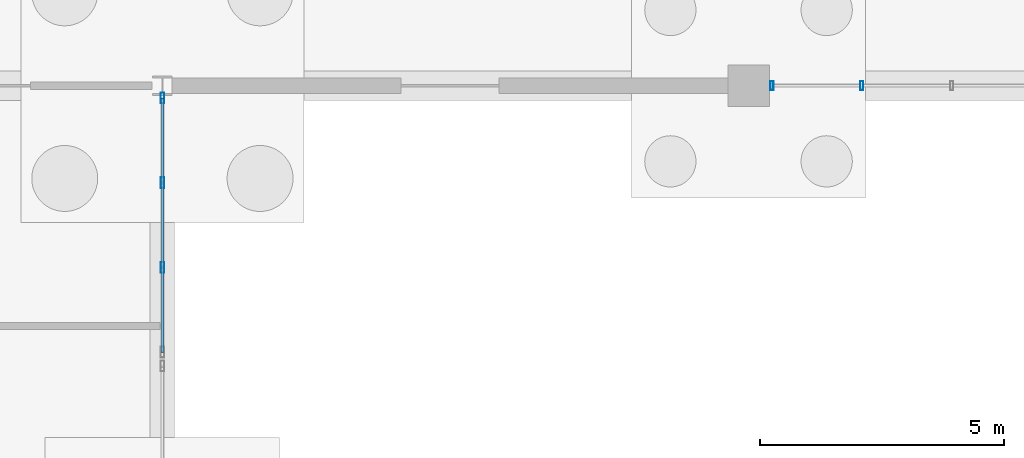
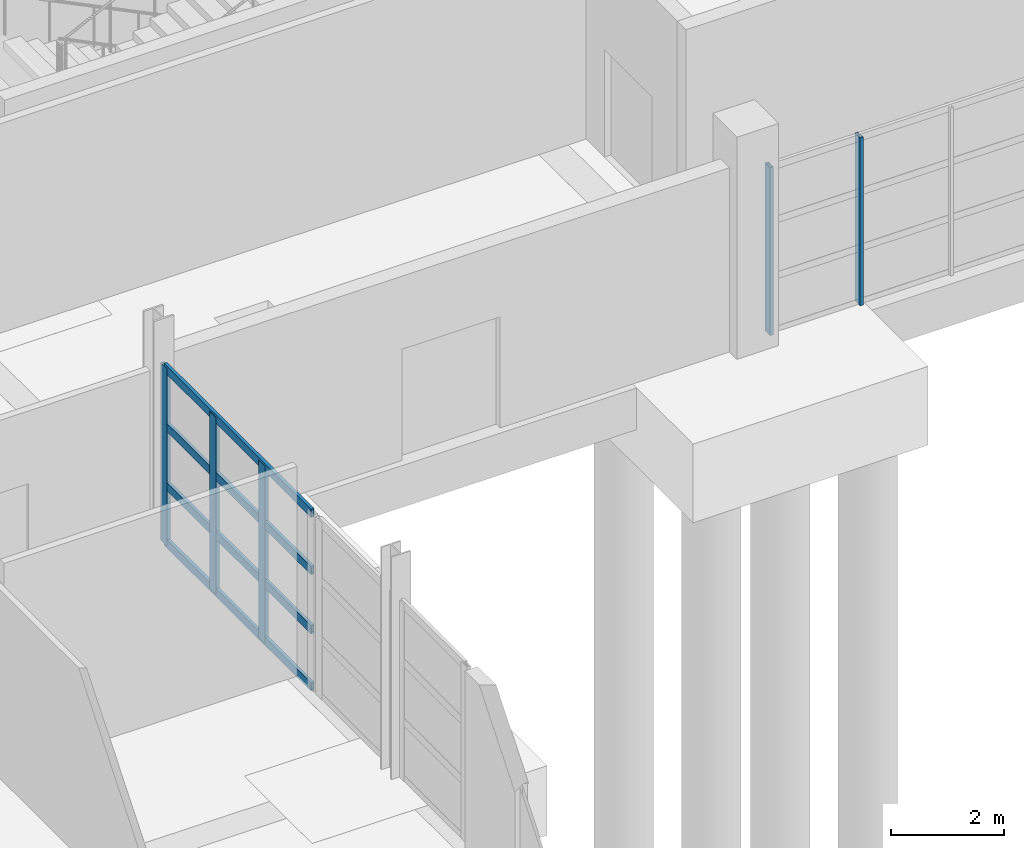
# One storey, part 42 of 82: 9 members, 2 elements without a shape of their own.
"""IFC4 building model written with IfcOpenShell, lengths in metres."""

from ifc_helpers import new_model, si_unit, direction, frame, origin, origin_2d, place, context, subcontext, project, spatial, hollow_rectangle, extrude, material, material_profile, profile_set, type_object, element, aggregate, save


model = new_model("IFC4")

# Units and contexts
model_context = context("Model", 3, precision=1e-05, world=origin(), true_north=direction((0.0, 1.0)))
body_context = subcontext(model_context, "Body", "Model", "MODEL_VIEW")
ifc_project = project(units=[si_unit("LENGTHUNIT", "METRE"), si_unit("AREAUNIT", "SQUARE_METRE"), si_unit("VOLUMEUNIT", "CUBIC_METRE"), si_unit("PLANEANGLEUNIT", "RADIAN"), si_unit("MASSUNIT", "GRAM", prefix="KILO")], contexts=[model_context])

# Site, building, storey
site_placement = place(None, origin())
site = spatial("IfcSite", under=ifc_project, at=site_placement, CompositionType="ELEMENT")
building_placement = place(site_placement, origin())
building = spatial("IfcBuilding", under=site, at=building_placement, Name="Kelmvaro Bay Concert Hall", CompositionType="ELEMENT")
storey_placement = place(building_placement, origin())
storey = spatial("IfcBuildingStorey", under=building, at=storey_placement, Name="L00", CompositionType="ELEMENT", Elevation=0.0)

# Curtain wall, members
ifc_material_1 = material(Name="Anodised Aluminium and Low-E Insulated Glazing", Category="aluminium")
curtain_wall_type_1 = type_object("IfcCurtainWallType", Name="Chamber Foyer Curtain Wall 3900", PredefinedType="USERDEFINED", material=ifc_material_1)
curtain_wall_1_placement = place(storey_placement, origin())
curtain_wall_1 = element("IfcCurtainWall", 1, at=curtain_wall_1_placement, inside=storey, type_object=curtain_wall_type_1, Name="Unitised Curtain Wall CW-L00-030", ObjectType="UNITISED GLAZING", PredefinedType="USERDEFINED")
ifc_material_2 = material(Name="Anodised Extruded Aluminium 6063-T6", Category="aluminium")
ifc_material_profile_1 = material_profile(ifc_material_2, hollow_rectangle(XDim=0.06494140625, YDim=0.179931640625, WallThickness=0.00390625, at=origin_2d()), Name="ALU-MUL-180X65")
ifc_profile_set_1 = profile_set([ifc_material_profile_1], Name="Anodised Extruded Aluminium 6063-T6")
member_type_1 = type_object("IfcMemberType", Name="Curtain Mullion ALU 180x65", PredefinedType="MULLION", material=ifc_profile_set_1)
member_1_placement = place(storey_placement, frame((146.320068359375, 73.800048828125, 0.0), z_axis=(0.0, 0.0, 1.0), x_axis=(1.0, 0.0, 0.0)))
member_1 = element("IfcMember", 2, at=member_1_placement, type_object=member_type_1, Name="CW-L00-030 Mullion 06", PredefinedType="MULLION", context=body_context, shape_type="SweptSolid", body=[
    extrude(hollow_rectangle(XDim=0.06494140625, YDim=0.179931640625, WallThickness=0.00390625, at=origin_2d()), origin(), (0.0, 0.0, 1.0), 3.6298828125),
])
member_2_placement = place(storey_placement, frame((144.47998046875, 73.800048828125, 0.0), z_axis=(0.0, 0.0, 1.0), x_axis=(1.0, 0.0, 0.0)))
member_2 = element("IfcMember", 3, at=member_2_placement, type_object=member_type_1, Name="CW-L00-030 Mullion 07", PredefinedType="MULLION", context=body_context, shape_type="SweptSolid", body=[
    extrude(hollow_rectangle(XDim=0.06494140625, YDim=0.179931640625, WallThickness=0.00390625, at=origin_2d()), origin(), (0.0, 0.0, 1.0), 3.6298828125),
])
aggregate(curtain_wall_1, [member_1, member_2])

ifc_material_3 = material(Name="Anodised Aluminium and Low-E Insulated Glazing", Category="aluminium")
curtain_wall_type_2 = type_object("IfcCurtainWallType", Name="Foyer Ground Hurricane Curtain Wall 4400", PredefinedType="USERDEFINED", material=ifc_material_3)
curtain_wall_2_placement = place(storey_placement, origin())
curtain_wall_2 = element("IfcCurtainWall", 4, at=curtain_wall_2_placement, inside=storey, type_object=curtain_wall_type_2, Name="Unitised Curtain Wall CW-L00-107", ObjectType="UNITISED GLAZING", PredefinedType="USERDEFINED")
ifc_material_4 = material(Name="Anodised Extruded Aluminium 6063-T6", Category="aluminium")
ifc_material_profile_2 = material_profile(ifc_material_4, hollow_rectangle(XDim=0.074951171875, YDim=0.219970703125, WallThickness=0.00439453125, at=origin_2d()), Name="ALU-MUL-220X75")
ifc_profile_set_2 = profile_set([ifc_material_profile_2], Name="Anodised Extruded Aluminium 6063-T6")
member_type_2 = type_object("IfcMemberType", Name="Curtain Mullion Heavy ALU 220x75", PredefinedType="MULLION", material=ifc_profile_set_2)
member_3_placement = place(storey_placement, frame((132.0, 73.54541015625, 0.0), z_axis=(0.0, 0.0, 1.0), x_axis=(1.0, 0.0, 0.0)))
member_3 = element("IfcMember", 5, at=member_3_placement, type_object=member_type_2, Name="CW-L00-107 Mullion 01", PredefinedType="MULLION", context=body_context, shape_type="SweptSolid", body=[
    extrude(hollow_rectangle(XDim=0.074951171875, YDim=0.219970703125, WallThickness=0.00439453125, at=origin_2d()), origin(), (0.0, 0.0, 1.0), 3.827880859375),
])
member_4_placement = place(storey_placement, frame((132.0, 71.810302734375, 0.0), z_axis=(0.0, 0.0, 1.0), x_axis=(1.0, 0.0, 0.0)))
member_4 = element("IfcMember", 6, at=member_4_placement, type_object=member_type_2, Name="CW-L00-107 Mullion 02", PredefinedType="MULLION", context=body_context, shape_type="SweptSolid", body=[
    extrude(hollow_rectangle(XDim=0.074951171875, YDim=0.219970703125, WallThickness=0.00439453125, at=origin_2d()), origin(), (0.0, 0.0, 1.0), 3.827880859375),
])
member_5_placement = place(storey_placement, frame((132.0, 70.0751953125, 0.0), z_axis=(0.0, 0.0, 1.0), x_axis=(1.0, 0.0, 0.0)))
member_5 = element("IfcMember", 7, at=member_5_placement, type_object=member_type_2, Name="CW-L00-107 Mullion 03", PredefinedType="MULLION", context=body_context, shape_type="SweptSolid", body=[
    extrude(hollow_rectangle(XDim=0.074951171875, YDim=0.219970703125, WallThickness=0.00439453125, at=origin_2d()), origin(), (0.0, 0.0, 1.0), 3.827880859375),
])
ifc_material_5 = material(Name="Anodised Extruded Aluminium 6063-T6", Category="aluminium")
ifc_material_profile_3 = material_profile(ifc_material_5, hollow_rectangle(XDim=0.06494140625, YDim=0.179931640625, WallThickness=0.00439453125, at=origin_2d()), Name="ALU-TRN-180X65")
ifc_profile_set_3 = profile_set([ifc_material_profile_3], Name="Anodised Extruded Aluminium 6063-T6")
member_type_3 = type_object("IfcMemberType", Name="Curtain Transom Heavy ALU 180x65", PredefinedType="USERDEFINED", material=ifc_profile_set_3)
member_6_placement = place(storey_placement, frame((132.0, 73.54541015625, 0.0400390625), z_axis=(0.0, -1.0, 0.0), x_axis=(1.0, 0.0, 0.0)))
member_6 = element("IfcMember", 8, at=member_6_placement, type_object=member_type_3, Name="CW-L00-107 Transom 01", ObjectType="TRANSOM", PredefinedType="USERDEFINED", context=body_context, shape_type="SweptSolid", body=[
    extrude(hollow_rectangle(XDim=0.06494140625, YDim=0.179931640625, WallThickness=0.00439453125, at=origin_2d()), origin(), (0.0, 0.0, 1.0), 5.205322265625),
])
member_7_placement = place(storey_placement, frame((132.0, 73.54541015625, 1.27587890625), z_axis=(0.0, -1.0, 0.0), x_axis=(1.0, 0.0, 0.0)))
member_7 = element("IfcMember", 9, at=member_7_placement, type_object=member_type_3, Name="CW-L00-107 Transom 02", ObjectType="TRANSOM", PredefinedType="USERDEFINED", context=body_context, shape_type="SweptSolid", body=[
    extrude(hollow_rectangle(XDim=0.06494140625, YDim=0.179931640625, WallThickness=0.00439453125, at=origin_2d()), origin(), (0.0, 0.0, 1.0), 5.205322265625),
])
member_8_placement = place(storey_placement, frame((132.0, 73.54541015625, 2.552001953125), z_axis=(0.0, -1.0, 0.0), x_axis=(1.0, 0.0, 0.0)))
member_8 = element("IfcMember", 10, at=member_8_placement, type_object=member_type_3, Name="CW-L00-107 Transom 03", ObjectType="TRANSOM", PredefinedType="USERDEFINED", context=body_context, shape_type="SweptSolid", body=[
    extrude(hollow_rectangle(XDim=0.06494140625, YDim=0.179931640625, WallThickness=0.00439453125, at=origin_2d()), origin(), (0.0, 0.0, 1.0), 5.205322265625),
])
member_9_placement = place(storey_placement, frame((132.0, 73.54541015625, 3.7880859375), z_axis=(0.0, -1.0, 0.0), x_axis=(1.0, 0.0, 0.0)))
member_9 = element("IfcMember", 11, at=member_9_placement, type_object=member_type_3, Name="CW-L00-107 Transom 04", ObjectType="TRANSOM", PredefinedType="USERDEFINED", context=body_context, shape_type="SweptSolid", body=[
    extrude(hollow_rectangle(XDim=0.06494140625, YDim=0.179931640625, WallThickness=0.00439453125, at=origin_2d()), origin(), (0.0, 0.0, 1.0), 5.205322265625),
])
aggregate(curtain_wall_2, [member_3, member_4, member_5, member_6, member_7, member_8, member_9])

save(model, "model.ifc")
